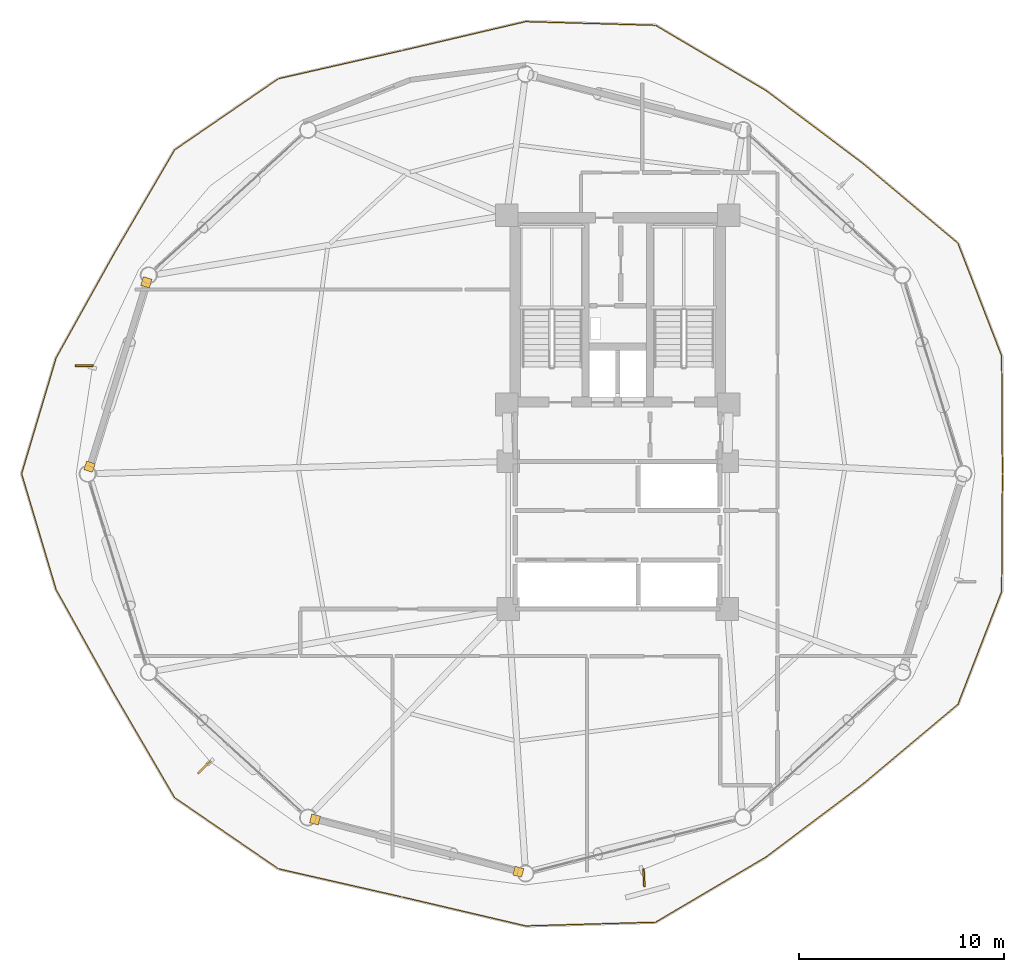
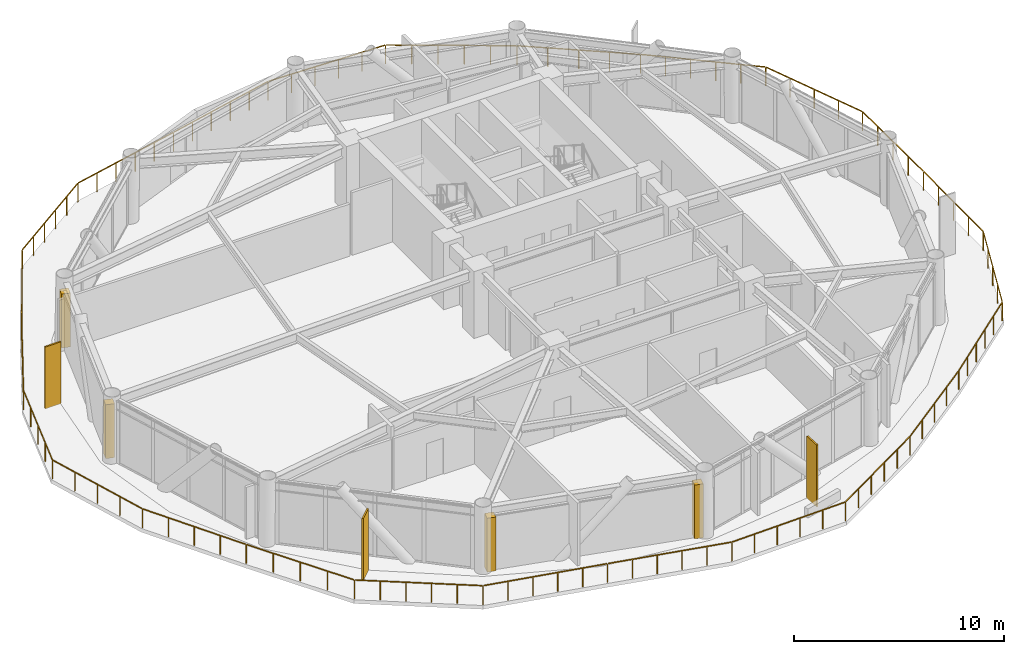
# One storey, part 22 of 23: 4 coverings, 3 shading devices, 1 railing.
"""IFC4 building model written with IfcOpenShell, lengths in metres."""

from ifc_helpers import new_model, si_unit, direction, frame, origin, origin_2d, place, context, subcontext, project, spatial, rectangle, extrude, source, transform, mapped, material, layer, layer_set, type_object, type_shapes, element, save


model = new_model("IFC4")

# Units and contexts
model_context = context("Model", 3, precision=1e-05, world=origin(), true_north=direction((0.0, 1.0)))
body_context = subcontext(model_context, "Body", "Model", "MODEL_VIEW")
ifc_project = project(units=[si_unit("LENGTHUNIT", "METRE"), si_unit("AREAUNIT", "SQUARE_METRE"), si_unit("VOLUMEUNIT", "CUBIC_METRE"), si_unit("PLANEANGLEUNIT", "RADIAN"), si_unit("MASSUNIT", "GRAM", prefix="KILO")], contexts=[model_context])

# Site, building, storey
site_placement = place(None, origin())
site = spatial("IfcSite", under=ifc_project, at=site_placement, CompositionType="ELEMENT")
building_placement = place(site_placement, origin())
building = spatial("IfcBuilding", under=site, at=building_placement, Name="Varnakorn Sky Granary", CompositionType="ELEMENT")
storey_placement = place(building_placement, frame((0.0, 0.0, 114.89990234375)))
storey = spatial("IfcBuildingStorey", under=building, at=storey_placement, Name="L28", CompositionType="ELEMENT", Elevation=114.89990234375)

# Railing
ifc_material = material(Name="Anodised Bronze Aluminium Alloy 6063-T6", Category="aluminium")
railing_type = type_object("IfcRailingType", Name="RL-BAL-1120", PredefinedType="BALUSTRADE", material=ifc_material)
railing_placement = place(storey_placement, frame((21.77294921875, 0.0, 0.0)))
element("IfcRailing", 1, at=railing_placement, inside=storey, type_object=railing_type, Name="Wavy Growing Deck Guard Balustrade L28", PredefinedType="BALUSTRADE", context=body_context, shape_type="SweptSolid", body=[
    extrude(rectangle(XDim=0.048095703125, YDim=0.048095703125, at=origin_2d()), frame((-0.000244140625, 0.028076171875, 1.09619140625), z_axis=(-0.00599147874, 0.99998205093, 0.0), x_axis=(-0.99998205093, -0.00599147874, 0.0)), (0.0, 0.0, 1.0), 5.689453125),
    extrude(rectangle(XDim=0.048095703125, YDim=0.048095703125, at=origin_2d()), frame((-0.04443359375, 5.771484375, 1.09619140625), z_axis=(-0.361373163538, 0.932421276395, 0.0), x_axis=(-0.932421276395, -0.361373163538, 0.0)), (0.0, 0.0, 1.0), 5.85205078125),
    extrude(rectangle(XDim=0.048095703125, YDim=0.048095703125, at=origin_2d()), frame((-2.19091796875, 11.272216796875, 1.09619140625), z_axis=(-0.76594696514, 0.642903761532, 0.0), x_axis=(-0.642903761532, -0.76594696514, 0.0)), (0.0, 0.0, 1.0), 6.001708984375),
    extrude(rectangle(XDim=0.048095703125, YDim=0.048095703125, at=origin_2d()), frame((-6.831787109375, 15.16552734375, 1.09619140625), z_axis=(-0.799054142895, 0.601259076207, 0.0), x_axis=(-0.601259076207, -0.799054142895, 0.0)), (0.0, 0.0, 1.0), 5.8662109375),
    extrude(rectangle(XDim=0.048095703125, YDim=0.048095703125, at=origin_2d()), frame((-11.565673828125, 18.7236328125, 1.09619140625), z_axis=(-0.861187571413, 0.508287287706, 0.0), x_axis=(-0.508287287706, -0.861187571413, 0.0)), (0.0, 0.0, 1.0), 6.197265625),
    extrude(rectangle(XDim=0.048095703125, YDim=0.048095703125, at=origin_2d()), frame((-16.954833984375, 21.888671875, 1.09619140625), z_axis=(-0.999602650369, 0.028187610322, 0.0), x_axis=(-0.028187610322, -0.999602650369, 0.0)), (0.0, 0.0, 1.0), 6.292724609375),
    extrude(rectangle(XDim=0.048095703125, YDim=0.048095703125, at=origin_2d()), frame((-23.30029296875, 22.060546875, 1.09619140625), z_axis=(-0.973594086979, -0.228286122659, 0.0), x_axis=(0.228286122659, -0.973594086979, 0.0)), (0.0, 0.0, 1.0), 6.123291015625),
    extrude(rectangle(XDim=0.048095703125, YDim=0.048095703125, at=origin_2d()), frame((-29.31640625, 20.650146484375, 1.09619140625), z_axis=(-0.975087964542, -0.221818532601, 0.0), x_axis=(0.221818532601, -0.975087964542, 0.0)), (0.0, 0.0, 1.0), 6.143798828125),
    extrude(rectangle(XDim=0.048095703125, YDim=0.048095703125, at=origin_2d()), frame((-35.357666015625, 19.26513671875, 1.09619140625), z_axis=(-0.82464139546, -0.565655874976, 0.0), x_axis=(0.565655874976, -0.82464139546, 0.0)), (0.0, 0.0, 1.0), 6.082763671875),
    extrude(rectangle(XDim=0.048095703125, YDim=0.048095703125, at=origin_2d()), frame((-40.410888671875, 15.784423828125, 1.09619140625), z_axis=(-0.50378916473, -0.86382664783, 0.0), x_axis=(0.86382664783, -0.50378916473, 0.0)), (0.0, 0.0, 1.0), 5.8779296875),
    extrude(rectangle(XDim=0.048095703125, YDim=0.048095703125, at=origin_2d()), frame((-43.39990234375, 10.658203125, 1.09619140625), z_axis=(-0.486093435272, -0.873906844112, 0.0), x_axis=(0.873906844112, -0.486093435272, 0.0)), (0.0, 0.0, 1.0), 5.69482421875),
    extrude(rectangle(XDim=0.048095703125, YDim=0.048095703125, at=origin_2d()), frame((-46.189697265625, 5.630126953125, 1.09619140625), z_axis=(-0.285362608739, -0.95841962706, 0.0), x_axis=(0.95841962706, -0.285362608739, 0.0)), (0.0, 0.0, 1.0), 5.846435546875),
    extrude(rectangle(XDim=0.048095703125, YDim=0.048095703125, at=origin_2d()), frame((-47.85791015625, -0.02685546875, 1.09619140625), z_axis=(0.285362608739, -0.95841962706, 0.0), x_axis=(0.95841962706, 0.285362608739, 0.0)), (0.0, 0.0, 1.0), 5.846435546875),
    extrude(rectangle(XDim=0.048095703125, YDim=0.048095703125, at=origin_2d()), frame((-46.16796875, -5.681396484375, 1.09619140625), z_axis=(0.486093435272, -0.873906844112, 0.0), x_axis=(0.873906844112, 0.486093435272, 0.0)), (0.0, 0.0, 1.0), 5.69482421875),
    extrude(rectangle(XDim=0.048095703125, YDim=0.048095703125, at=origin_2d()), frame((-43.3720703125, -10.706787109375, 1.09619140625), z_axis=(0.50378916473, -0.86382664783, 0.0), x_axis=(0.86382664783, 0.50378916473, 0.0)), (0.0, 0.0, 1.0), 5.8779296875),
    extrude(rectangle(XDim=0.048095703125, YDim=0.048095703125, at=origin_2d()), frame((-40.37353515625, -15.824462890625, 1.09619140625), z_axis=(0.82464139546, -0.565655874976, 0.0), x_axis=(0.565655874976, 0.82464139546, 0.0)), (0.0, 0.0, 1.0), 6.082763671875),
    extrude(rectangle(XDim=0.048095703125, YDim=0.048095703125, at=origin_2d()), frame((-35.30712890625, -19.287109375, 1.09619140625), z_axis=(0.975087964542, -0.221818532601, 0.0), x_axis=(0.221818532601, 0.975087964542, 0.0)), (0.0, 0.0, 1.0), 6.143798828125),
    extrude(rectangle(XDim=0.048095703125, YDim=0.048095703125, at=origin_2d()), frame((-29.26171875, -20.66259765625, 1.09619140625), z_axis=(0.973594086979, -0.228286122659, 0.0), x_axis=(0.228286122659, 0.973594086979, 0.0)), (0.0, 0.0, 1.0), 6.123291015625),
    extrude(rectangle(XDim=0.048095703125, YDim=0.048095703125, at=origin_2d()), frame((-23.244873046875, -22.066162109375, 1.09619140625), z_axis=(0.999602650369, 0.028187610322, 0.0), x_axis=(-0.028187610322, 0.999602650369, 0.0)), (0.0, 0.0, 1.0), 6.292724609375),
    extrude(rectangle(XDim=0.048095703125, YDim=0.048095703125, at=origin_2d()), frame((-16.902587890625, -21.873779296875, 1.09619140625), z_axis=(0.861187571413, 0.508287287706, 0.0), x_axis=(-0.508287287706, 0.861187571413, 0.0)), (0.0, 0.0, 1.0), 6.197265625),
    extrude(rectangle(XDim=0.048095703125, YDim=0.048095703125, at=origin_2d()), frame((-11.51904296875, -18.692626953125, 1.09619140625), z_axis=(0.799054142895, 0.601259076207, 0.0), x_axis=(-0.601259076207, 0.799054142895, 0.0)), (0.0, 0.0, 1.0), 5.8662109375),
    extrude(rectangle(XDim=0.048095703125, YDim=0.048095703125, at=origin_2d()), frame((-6.787841796875, -15.130615234375, 1.09619140625), z_axis=(0.76594696514, 0.642903761532, 0.0), x_axis=(-0.642903761532, 0.76594696514, 0.0)), (0.0, 0.0, 1.0), 6.001708984375),
    extrude(rectangle(XDim=0.048095703125, YDim=0.048095703125, at=origin_2d()), frame((-2.159423828125, -11.22802734375, 1.09619140625), z_axis=(0.361373163538, 0.932421276395, 0.0), x_axis=(-0.932421276395, 0.361373163538, 0.0)), (0.0, 0.0, 1.0), 5.85205078125),
    extrude(rectangle(XDim=0.048095703125, YDim=0.048095703125, at=origin_2d()), frame((-0.0341796875, -5.71728515625, 1.09619140625), z_axis=(0.00599147874, 0.99998205093, 0.0), x_axis=(-0.99998205093, 0.00599147874, 0.0)), (0.0, 0.0, 1.0), 5.689453125),
    extrude(rectangle(XDim=0.0419921875, YDim=0.0419921875, at=origin_2d()), origin(), (0.0, 0.0, 1.0), 1.068115234375),
    extrude(rectangle(XDim=0.0419921875, YDim=0.0419921875, at=origin_2d()), frame((-0.008544921875, 1.436279296875, 0.0)), (0.0, 0.0, 1.0), 1.068115234375),
    extrude(rectangle(XDim=0.0419921875, YDim=0.0419921875, at=origin_2d()), frame((-0.01708984375, 2.87255859375, 0.0)), (0.0, 0.0, 1.0), 1.068115234375),
    extrude(rectangle(XDim=0.0419921875, YDim=0.0419921875, at=origin_2d()), frame((-0.02587890625, 4.30908203125, 0.0)), (0.0, 0.0, 1.0), 1.068115234375),
    extrude(rectangle(XDim=0.0419921875, YDim=0.0419921875, at=origin_2d()), frame((-0.034423828125, 5.745361328125, 0.0)), (0.0, 0.0, 1.0), 1.068115234375),
    extrude(rectangle(XDim=0.0419921875, YDim=0.0419921875, at=origin_2d()), frame((-0.568115234375, 7.12255859375, 0.0)), (0.0, 0.0, 1.0), 1.068115234375),
    extrude(rectangle(XDim=0.0419921875, YDim=0.0419921875, at=origin_2d()), frame((-1.10205078125, 8.499755859375, 0.0)), (0.0, 0.0, 1.0), 1.068115234375),
    extrude(rectangle(XDim=0.0419921875, YDim=0.0419921875, at=origin_2d()), frame((-1.6357421875, 9.876953125, 0.0)), (0.0, 0.0, 1.0), 1.068115234375),
    extrude(rectangle(XDim=0.0419921875, YDim=0.0419921875, at=origin_2d()), frame((-2.16943359375, 11.254150390625, 0.0)), (0.0, 0.0, 1.0), 1.068115234375),
    extrude(rectangle(XDim=0.0419921875, YDim=0.0419921875, at=origin_2d()), frame((-3.097412109375, 12.032958984375, 0.0)), (0.0, 0.0, 1.0), 1.068115234375),
    extrude(rectangle(XDim=0.0419921875, YDim=0.0419921875, at=origin_2d()), frame((-4.025390625, 12.81201171875, 0.0)), (0.0, 0.0, 1.0), 1.068115234375),
    extrude(rectangle(XDim=0.0419921875, YDim=0.0419921875, at=origin_2d()), frame((-4.953369140625, 13.5908203125, 0.0)), (0.0, 0.0, 1.0), 1.068115234375),
    extrude(rectangle(XDim=0.0419921875, YDim=0.0419921875, at=origin_2d()), frame((-5.88134765625, 14.369873046875, 0.0)), (0.0, 0.0, 1.0), 1.068115234375),
    extrude(rectangle(XDim=0.0419921875, YDim=0.0419921875, at=origin_2d()), frame((-6.809326171875, 15.148681640625, 0.0)), (0.0, 0.0, 1.0), 1.068115234375),
    extrude(rectangle(XDim=0.0419921875, YDim=0.0419921875, at=origin_2d()), frame((-7.992431640625, 16.038818359375, 0.0)), (0.0, 0.0, 1.0), 1.068115234375),
    extrude(rectangle(XDim=0.0419921875, YDim=0.0419921875, at=origin_2d()), frame((-9.17529296875, 16.92919921875, 0.0)), (0.0, 0.0, 1.0), 1.068115234375),
    extrude(rectangle(XDim=0.0419921875, YDim=0.0419921875, at=origin_2d()), frame((-10.3583984375, 17.8193359375, 0.0)), (0.0, 0.0, 1.0), 1.068115234375),
    extrude(rectangle(XDim=0.0419921875, YDim=0.0419921875, at=origin_2d()), frame((-11.54150390625, 18.70947265625, 0.0)), (0.0, 0.0, 1.0), 1.068115234375),
    extrude(rectangle(XDim=0.0419921875, YDim=0.0419921875, at=origin_2d()), frame((-12.61865234375, 19.34521484375, 0.0)), (0.0, 0.0, 1.0), 1.068115234375),
    extrude(rectangle(XDim=0.0419921875, YDim=0.0419921875, at=origin_2d()), frame((-13.695556640625, 19.98095703125, 0.0)), (0.0, 0.0, 1.0), 1.068115234375),
    extrude(rectangle(XDim=0.0419921875, YDim=0.0419921875, at=origin_2d()), frame((-14.772705078125, 20.616455078125, 0.0)), (0.0, 0.0, 1.0), 1.068115234375),
    extrude(rectangle(XDim=0.0419921875, YDim=0.0419921875, at=origin_2d()), frame((-15.849609375, 21.252197265625, 0.0)), (0.0, 0.0, 1.0), 1.068115234375),
    extrude(rectangle(XDim=0.0419921875, YDim=0.0419921875, at=origin_2d()), frame((-16.9267578125, 21.887939453125, 0.0)), (0.0, 0.0, 1.0), 1.068115234375),
    extrude(rectangle(XDim=0.0419921875, YDim=0.0419921875, at=origin_2d()), frame((-18.196044921875, 21.923828125, 0.0)), (0.0, 0.0, 1.0), 1.068115234375),
    extrude(rectangle(XDim=0.0419921875, YDim=0.0419921875, at=origin_2d()), frame((-19.46533203125, 21.95947265625, 0.0)), (0.0, 0.0, 1.0), 1.068115234375),
    extrude(rectangle(XDim=0.0419921875, YDim=0.0419921875, at=origin_2d()), frame((-20.734375, 21.995361328125, 0.0)), (0.0, 0.0, 1.0), 1.068115234375),
    extrude(rectangle(XDim=0.0419921875, YDim=0.0419921875, at=origin_2d()), frame((-22.003662109375, 22.031005859375, 0.0)), (0.0, 0.0, 1.0), 1.068115234375),
    extrude(rectangle(XDim=0.0419921875, YDim=0.0419921875, at=origin_2d()), frame((-23.27294921875, 22.06689453125, 0.0)), (0.0, 0.0, 1.0), 1.068115234375),
    extrude(rectangle(XDim=0.0419921875, YDim=0.0419921875, at=origin_2d()), frame((-24.47607421875, 21.78466796875, 0.0)), (0.0, 0.0, 1.0), 1.068115234375),
    extrude(rectangle(XDim=0.0419921875, YDim=0.0419921875, at=origin_2d()), frame((-25.679443359375, 21.502685546875, 0.0)), (0.0, 0.0, 1.0), 1.068115234375),
    extrude(rectangle(XDim=0.0419921875, YDim=0.0419921875, at=origin_2d()), frame((-26.882568359375, 21.220458984375, 0.0)), (0.0, 0.0, 1.0), 1.068115234375),
    extrude(rectangle(XDim=0.0419921875, YDim=0.0419921875, at=origin_2d()), frame((-28.0859375, 20.9384765625, 0.0)), (0.0, 0.0, 1.0), 1.068115234375),
    extrude(rectangle(XDim=0.0419921875, YDim=0.0419921875, at=origin_2d()), frame((-29.2890625, 20.65625, 0.0)), (0.0, 0.0, 1.0), 1.068115234375),
    extrude(rectangle(XDim=0.0419921875, YDim=0.0419921875, at=origin_2d()), frame((-30.498046875, 20.381103515625, 0.0)), (0.0, 0.0, 1.0), 1.068115234375),
    extrude(rectangle(XDim=0.0419921875, YDim=0.0419921875, at=origin_2d()), frame((-31.707275390625, 20.106201171875, 0.0)), (0.0, 0.0, 1.0), 1.068115234375),
    extrude(rectangle(XDim=0.0419921875, YDim=0.0419921875, at=origin_2d()), frame((-32.916259765625, 19.8310546875, 0.0)), (0.0, 0.0, 1.0), 1.068115234375),
    extrude(rectangle(XDim=0.0419921875, YDim=0.0419921875, at=origin_2d()), frame((-34.12548828125, 19.55615234375, 0.0)), (0.0, 0.0, 1.0), 1.068115234375),
    extrude(rectangle(XDim=0.0419921875, YDim=0.0419921875, at=origin_2d()), frame((-35.33447265625, 19.281005859375, 0.0)), (0.0, 0.0, 1.0), 1.068115234375),
    extrude(rectangle(XDim=0.0419921875, YDim=0.0419921875, at=origin_2d()), frame((-36.346923828125, 18.58642578125, 0.0)), (0.0, 0.0, 1.0), 1.068115234375),
    extrude(rectangle(XDim=0.0419921875, YDim=0.0419921875, at=origin_2d()), frame((-37.359375, 17.89208984375, 0.0)), (0.0, 0.0, 1.0), 1.068115234375),
    extrude(rectangle(XDim=0.0419921875, YDim=0.0419921875, at=origin_2d()), frame((-38.371826171875, 17.197509765625, 0.0)), (0.0, 0.0, 1.0), 1.068115234375),
    extrude(rectangle(XDim=0.0419921875, YDim=0.0419921875, at=origin_2d()), frame((-39.38427734375, 16.503173828125, 0.0)), (0.0, 0.0, 1.0), 1.068115234375),
    extrude(rectangle(XDim=0.0419921875, YDim=0.0419921875, at=origin_2d()), frame((-40.396728515625, 15.80859375, 0.0)), (0.0, 0.0, 1.0), 1.068115234375),
    extrude(rectangle(XDim=0.0419921875, YDim=0.0419921875, at=origin_2d()), frame((-41.14404296875, 14.527099609375, 0.0)), (0.0, 0.0, 1.0), 1.068115234375),
    extrude(rectangle(XDim=0.0419921875, YDim=0.0419921875, at=origin_2d()), frame((-41.8916015625, 13.24560546875, 0.0)), (0.0, 0.0, 1.0), 1.068115234375),
    extrude(rectangle(XDim=0.0419921875, YDim=0.0419921875, at=origin_2d()), frame((-42.638916015625, 11.964111328125, 0.0)), (0.0, 0.0, 1.0), 1.068115234375),
    extrude(rectangle(XDim=0.0419921875, YDim=0.0419921875, at=origin_2d()), frame((-43.38623046875, 10.6826171875, 0.0)), (0.0, 0.0, 1.0), 1.068115234375),
    extrude(rectangle(XDim=0.0419921875, YDim=0.0419921875, at=origin_2d()), frame((-44.0849609375, 9.42626953125, 0.0)), (0.0, 0.0, 1.0), 1.068115234375),
    extrude(rectangle(XDim=0.0419921875, YDim=0.0419921875, at=origin_2d()), frame((-44.783935546875, 8.169921875, 0.0)), (0.0, 0.0, 1.0), 1.068115234375),
    extrude(rectangle(XDim=0.0419921875, YDim=0.0419921875, at=origin_2d()), frame((-45.48291015625, 6.913330078125, 0.0)), (0.0, 0.0, 1.0), 1.068115234375),
    extrude(rectangle(XDim=0.0419921875, YDim=0.0419921875, at=origin_2d()), frame((-46.181640625, 5.656982421875, 0.0)), (0.0, 0.0, 1.0), 1.068115234375),
    extrude(rectangle(XDim=0.0419921875, YDim=0.0419921875, at=origin_2d()), frame((-46.602783203125, 4.24267578125, 0.0)), (0.0, 0.0, 1.0), 1.068115234375),
    extrude(rectangle(XDim=0.0419921875, YDim=0.0419921875, at=origin_2d()), frame((-47.02392578125, 2.82861328125, 0.0)), (0.0, 0.0, 1.0), 1.068115234375),
    extrude(rectangle(XDim=0.0419921875, YDim=0.0419921875, at=origin_2d()), frame((-47.44482421875, 1.414306640625, 0.0)), (0.0, 0.0, 1.0), 1.068115234375),
    extrude(rectangle(XDim=0.0419921875, YDim=0.0419921875, at=origin_2d()), frame((-47.865966796875, 0.0, 0.0)), (0.0, 0.0, 1.0), 1.068115234375),
    extrude(rectangle(XDim=0.0419921875, YDim=0.0419921875, at=origin_2d()), frame((-47.44482421875, -1.414306640625, 0.0)), (0.0, 0.0, 1.0), 1.068115234375),
    extrude(rectangle(XDim=0.0419921875, YDim=0.0419921875, at=origin_2d()), frame((-47.02392578125, -2.82861328125, 0.0)), (0.0, 0.0, 1.0), 1.068115234375),
    extrude(rectangle(XDim=0.0419921875, YDim=0.0419921875, at=origin_2d()), frame((-46.602783203125, -4.24267578125, 0.0)), (0.0, 0.0, 1.0), 1.068115234375),
    extrude(rectangle(XDim=0.0419921875, YDim=0.0419921875, at=origin_2d()), frame((-46.181640625, -5.656982421875, 0.0)), (0.0, 0.0, 1.0), 1.068115234375),
    extrude(rectangle(XDim=0.0419921875, YDim=0.0419921875, at=origin_2d()), frame((-45.48291015625, -6.913330078125, 0.0)), (0.0, 0.0, 1.0), 1.068115234375),
    extrude(rectangle(XDim=0.0419921875, YDim=0.0419921875, at=origin_2d()), frame((-44.783935546875, -8.169921875, 0.0)), (0.0, 0.0, 1.0), 1.068115234375),
    extrude(rectangle(XDim=0.0419921875, YDim=0.0419921875, at=origin_2d()), frame((-44.0849609375, -9.42626953125, 0.0)), (0.0, 0.0, 1.0), 1.068115234375),
    extrude(rectangle(XDim=0.0419921875, YDim=0.0419921875, at=origin_2d()), frame((-43.38623046875, -10.6826171875, 0.0)), (0.0, 0.0, 1.0), 1.068115234375),
    extrude(rectangle(XDim=0.0419921875, YDim=0.0419921875, at=origin_2d()), frame((-42.638916015625, -11.964111328125, 0.0)), (0.0, 0.0, 1.0), 1.068115234375),
    extrude(rectangle(XDim=0.0419921875, YDim=0.0419921875, at=origin_2d()), frame((-41.8916015625, -13.24560546875, 0.0)), (0.0, 0.0, 1.0), 1.068115234375),
    extrude(rectangle(XDim=0.0419921875, YDim=0.0419921875, at=origin_2d()), frame((-41.14404296875, -14.527099609375, 0.0)), (0.0, 0.0, 1.0), 1.068115234375),
    extrude(rectangle(XDim=0.0419921875, YDim=0.0419921875, at=origin_2d()), frame((-40.396728515625, -15.80859375, 0.0)), (0.0, 0.0, 1.0), 1.068115234375),
    extrude(rectangle(XDim=0.0419921875, YDim=0.0419921875, at=origin_2d()), frame((-39.38427734375, -16.503173828125, 0.0)), (0.0, 0.0, 1.0), 1.068115234375),
    extrude(rectangle(XDim=0.0419921875, YDim=0.0419921875, at=origin_2d()), frame((-38.371826171875, -17.197509765625, 0.0)), (0.0, 0.0, 1.0), 1.068115234375),
    extrude(rectangle(XDim=0.0419921875, YDim=0.0419921875, at=origin_2d()), frame((-37.359375, -17.89208984375, 0.0)), (0.0, 0.0, 1.0), 1.068115234375),
    extrude(rectangle(XDim=0.0419921875, YDim=0.0419921875, at=origin_2d()), frame((-36.346923828125, -18.58642578125, 0.0)), (0.0, 0.0, 1.0), 1.068115234375),
    extrude(rectangle(XDim=0.0419921875, YDim=0.0419921875, at=origin_2d()), frame((-35.33447265625, -19.281005859375, 0.0)), (0.0, 0.0, 1.0), 1.068115234375),
    extrude(rectangle(XDim=0.0419921875, YDim=0.0419921875, at=origin_2d()), frame((-34.12548828125, -19.55615234375, 0.0)), (0.0, 0.0, 1.0), 1.068115234375),
    extrude(rectangle(XDim=0.0419921875, YDim=0.0419921875, at=origin_2d()), frame((-32.916259765625, -19.8310546875, 0.0)), (0.0, 0.0, 1.0), 1.068115234375),
    extrude(rectangle(XDim=0.0419921875, YDim=0.0419921875, at=origin_2d()), frame((-31.707275390625, -20.106201171875, 0.0)), (0.0, 0.0, 1.0), 1.068115234375),
    extrude(rectangle(XDim=0.0419921875, YDim=0.0419921875, at=origin_2d()), frame((-30.498046875, -20.381103515625, 0.0)), (0.0, 0.0, 1.0), 1.068115234375),
    extrude(rectangle(XDim=0.0419921875, YDim=0.0419921875, at=origin_2d()), frame((-29.2890625, -20.65625, 0.0)), (0.0, 0.0, 1.0), 1.068115234375),
    extrude(rectangle(XDim=0.0419921875, YDim=0.0419921875, at=origin_2d()), frame((-28.0859375, -20.9384765625, 0.0)), (0.0, 0.0, 1.0), 1.068115234375),
    extrude(rectangle(XDim=0.0419921875, YDim=0.0419921875, at=origin_2d()), frame((-26.882568359375, -21.220458984375, 0.0)), (0.0, 0.0, 1.0), 1.068115234375),
    extrude(rectangle(XDim=0.0419921875, YDim=0.0419921875, at=origin_2d()), frame((-25.679443359375, -21.502685546875, 0.0)), (0.0, 0.0, 1.0), 1.068115234375),
    extrude(rectangle(XDim=0.0419921875, YDim=0.0419921875, at=origin_2d()), frame((-24.47607421875, -21.78466796875, 0.0)), (0.0, 0.0, 1.0), 1.068115234375),
    extrude(rectangle(XDim=0.0419921875, YDim=0.0419921875, at=origin_2d()), frame((-23.27294921875, -22.06689453125, 0.0)), (0.0, 0.0, 1.0), 1.068115234375),
    extrude(rectangle(XDim=0.0419921875, YDim=0.0419921875, at=origin_2d()), frame((-22.003662109375, -22.031005859375, 0.0)), (0.0, 0.0, 1.0), 1.068115234375),
    extrude(rectangle(XDim=0.0419921875, YDim=0.0419921875, at=origin_2d()), frame((-20.734375, -21.995361328125, 0.0)), (0.0, 0.0, 1.0), 1.068115234375),
    extrude(rectangle(XDim=0.0419921875, YDim=0.0419921875, at=origin_2d()), frame((-19.46533203125, -21.95947265625, 0.0)), (0.0, 0.0, 1.0), 1.068115234375),
    extrude(rectangle(XDim=0.0419921875, YDim=0.0419921875, at=origin_2d()), frame((-18.196044921875, -21.923828125, 0.0)), (0.0, 0.0, 1.0), 1.068115234375),
    extrude(rectangle(XDim=0.0419921875, YDim=0.0419921875, at=origin_2d()), frame((-16.9267578125, -21.887939453125, 0.0)), (0.0, 0.0, 1.0), 1.068115234375),
    extrude(rectangle(XDim=0.0419921875, YDim=0.0419921875, at=origin_2d()), frame((-15.849609375, -21.252197265625, 0.0)), (0.0, 0.0, 1.0), 1.068115234375),
    extrude(rectangle(XDim=0.0419921875, YDim=0.0419921875, at=origin_2d()), frame((-14.772705078125, -20.616455078125, 0.0)), (0.0, 0.0, 1.0), 1.068115234375),
    extrude(rectangle(XDim=0.0419921875, YDim=0.0419921875, at=origin_2d()), frame((-13.695556640625, -19.98095703125, 0.0)), (0.0, 0.0, 1.0), 1.068115234375),
    extrude(rectangle(XDim=0.0419921875, YDim=0.0419921875, at=origin_2d()), frame((-12.61865234375, -19.34521484375, 0.0)), (0.0, 0.0, 1.0), 1.068115234375),
    extrude(rectangle(XDim=0.0419921875, YDim=0.0419921875, at=origin_2d()), frame((-11.54150390625, -18.70947265625, 0.0)), (0.0, 0.0, 1.0), 1.068115234375),
    extrude(rectangle(XDim=0.0419921875, YDim=0.0419921875, at=origin_2d()), frame((-10.3583984375, -17.8193359375, 0.0)), (0.0, 0.0, 1.0), 1.068115234375),
    extrude(rectangle(XDim=0.0419921875, YDim=0.0419921875, at=origin_2d()), frame((-9.17529296875, -16.92919921875, 0.0)), (0.0, 0.0, 1.0), 1.068115234375),
    extrude(rectangle(XDim=0.0419921875, YDim=0.0419921875, at=origin_2d()), frame((-7.992431640625, -16.038818359375, 0.0)), (0.0, 0.0, 1.0), 1.068115234375),
    extrude(rectangle(XDim=0.0419921875, YDim=0.0419921875, at=origin_2d()), frame((-6.809326171875, -15.148681640625, 0.0)), (0.0, 0.0, 1.0), 1.068115234375),
    extrude(rectangle(XDim=0.0419921875, YDim=0.0419921875, at=origin_2d()), frame((-5.88134765625, -14.369873046875, 0.0)), (0.0, 0.0, 1.0), 1.068115234375),
    extrude(rectangle(XDim=0.0419921875, YDim=0.0419921875, at=origin_2d()), frame((-4.953369140625, -13.5908203125, 0.0)), (0.0, 0.0, 1.0), 1.068115234375),
    extrude(rectangle(XDim=0.0419921875, YDim=0.0419921875, at=origin_2d()), frame((-4.025390625, -12.81201171875, 0.0)), (0.0, 0.0, 1.0), 1.068115234375),
    extrude(rectangle(XDim=0.0419921875, YDim=0.0419921875, at=origin_2d()), frame((-3.097412109375, -12.032958984375, 0.0)), (0.0, 0.0, 1.0), 1.068115234375),
    extrude(rectangle(XDim=0.0419921875, YDim=0.0419921875, at=origin_2d()), frame((-2.16943359375, -11.254150390625, 0.0)), (0.0, 0.0, 1.0), 1.068115234375),
    extrude(rectangle(XDim=0.0419921875, YDim=0.0419921875, at=origin_2d()), frame((-1.6357421875, -9.876953125, 0.0)), (0.0, 0.0, 1.0), 1.068115234375),
    extrude(rectangle(XDim=0.0419921875, YDim=0.0419921875, at=origin_2d()), frame((-1.10205078125, -8.499755859375, 0.0)), (0.0, 0.0, 1.0), 1.068115234375),
    extrude(rectangle(XDim=0.0419921875, YDim=0.0419921875, at=origin_2d()), frame((-0.568115234375, -7.12255859375, 0.0)), (0.0, 0.0, 1.0), 1.068115234375),
    extrude(rectangle(XDim=0.0419921875, YDim=0.0419921875, at=origin_2d()), frame((-0.034423828125, -5.745361328125, 0.0)), (0.0, 0.0, 1.0), 1.068115234375),
    extrude(rectangle(XDim=0.0419921875, YDim=0.0419921875, at=origin_2d()), frame((-0.02587890625, -4.30908203125, 0.0)), (0.0, 0.0, 1.0), 1.068115234375),
    extrude(rectangle(XDim=0.0419921875, YDim=0.0419921875, at=origin_2d()), frame((-0.01708984375, -2.87255859375, 0.0)), (0.0, 0.0, 1.0), 1.068115234375),
    extrude(rectangle(XDim=0.0419921875, YDim=0.0419921875, at=origin_2d()), frame((-0.008544921875, -1.436279296875, 0.0)), (0.0, 0.0, 1.0), 1.068115234375),
])

# Shading devices
shading_device_type = type_object("IfcShadingDeviceType", Name="SH-FIN-01", PredefinedType="USERDEFINED", material=ifc_material)
shared_shape_1 = source(origin(), body_context, "Body", "SweptSolid", [
    extrude(rectangle(XDim=0.0849609375, YDim=0.8798828125, at=origin_2d()), origin(), (0.0, 0.0, 1.0), 3.60009765625),
])
type_shapes(shading_device_type, [shared_shape_1])
for number, where, z_axis, x_axis, name in (
    (2, (-23.031494140625, 5.274658203125, -0.0400390625), (0.0, 0.0, 1.0), (0.007384438352, -0.999972734663, 0.0), "Bronze Solar-Tracking Vertical Blade FIN L28-06"),
    (3, (-17.1806640625, -14.328125, -0.0400390625), (0.0, 0.0, 1.0), (0.692882658253, -0.721050360163, 0.0), "Bronze Solar-Tracking Vertical Blade FIN L28-08"),
    (4, (4.2802734375, -19.722900390625, -0.0400390625), (0.0, 0.0, 1.0), (0.998749598, 0.049992404368, 0.0), "Bronze Solar-Tracking Vertical Blade FIN L28-10"),
):
    element("IfcShadingDevice", number, at=place(storey_placement, frame(where, z_axis=z_axis, x_axis=x_axis)), inside=storey, type_object=shading_device_type, Name=name, ObjectType="FIN", PredefinedType="USERDEFINED", context=body_context, shape_type="MappedRepresentation", body=[
        mapped(shared_shape_1, transform((0.0, 0.0, 0.0), x_axis=(1.0, 0.0, 0.0), y_axis=(0.0, 1.0, 0.0), z_axis=(0.0, 0.0, 1.0), scale=1.0)),
    ])

# Coverings
ifc_layer = layer(ifc_material, 0.050048828125, Name="Anodised Bronze Aluminium Alloy 6063-T6")
ifc_layer_set = layer_set([ifc_layer], Name="Anodised Bronze Aluminium Alloy 6063-T6")
covering_type = type_object("IfcCoveringType", Name="CV-CLAD-50", PredefinedType="CLADDING", material=ifc_layer_set)
shared_shape_2 = source(origin(), body_context, "Body", "SweptSolid", [
    extrude(rectangle(XDim=0.43994140625, YDim=0.43994140625, at=origin_2d()), origin(), (0.0, 0.0, 1.0), 3.1298828125),
])
type_shapes(covering_type, [shared_shape_2])
for number, where, z_axis, x_axis, name in (
    (5, (-22.776611328125, 0.345458984375, -0.019775390625), (0.0, 0.0, 1.0), (0.294040325232, 0.955793014798, 0.0), "Bronze Corner Pilaster Closure L28-P06-A"),
    (6, (-20.007568359375, 9.345458984375, -0.019775390625), (0.0, 0.0, 1.0), (0.294040325232, 0.955793014798, 0.0), "Bronze Corner Pilaster Closure L28-P06-B"),
    (7, (-1.85009765625, -19.427001953125, -0.019775390625), (0.0, 0.0, 1.0), (-0.968496292974, 0.249027971312, 0.0), "Bronze Corner Pilaster Closure L28-P09-A"),
    (8, (-11.77392578125, -16.875244140625, -0.019775390625), (0.0, 0.0, 1.0), (-0.968496292974, 0.249027971312, 0.0), "Bronze Corner Pilaster Closure L28-P09-B"),
):
    element("IfcCovering", number, at=place(storey_placement, frame(where, z_axis=z_axis, x_axis=x_axis)), inside=storey, type_object=covering_type, Name=name, PredefinedType="CLADDING", context=body_context, shape_type="MappedRepresentation", body=[
        mapped(shared_shape_2, transform((0.0, 0.0, 0.0), x_axis=(1.0, 0.0, 0.0), y_axis=(0.0, 1.0, 0.0), z_axis=(0.0, 0.0, 1.0), scale=1.0)),
    ])

save(model, "model.ifc")
